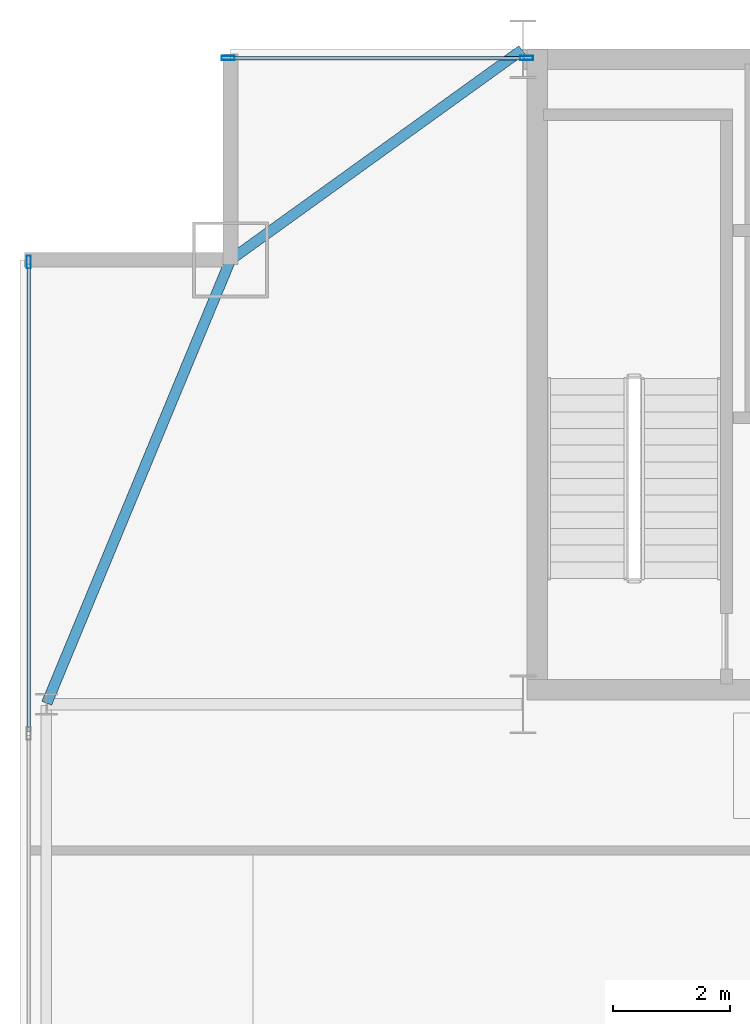
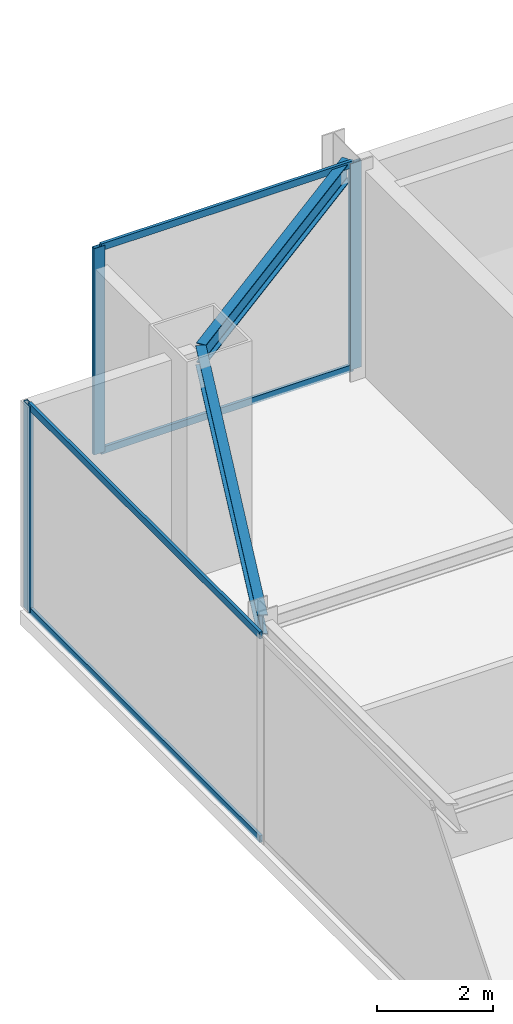
# One storey, part 18 of 25: 7 members, 2 beams, 2 elements without a shape of their own.
"""IFC4 building model written with IfcOpenShell, lengths in metres."""

import ifcopenshell
import ifcopenshell.guid

model = None  # the IFC model being written
_history = None  # IfcOwnerHistory: only IFC2X3 demands one
_inside = {}  # id of a spatial element -> (the spatial element, [elements in it])
_under = {}  # id of a project, library or spatial element -> (it, [spatial elements below it])
_declared = {}  # id of a project -> (the project, [libraries it declares])
_typed = {}  # id of a type object -> (the type object, [elements of that type])
_made_of = {}  # id of a material, layer set ... -> (it, [elements and type objects made of it])


def new_model(schema):
    """Start an empty IFC model of exactly this schema.

    Asked for "IFC4X3", IfcOpenShell would pick the latest addendum, in which some entities
    have other attributes; the version numbers below select the first issue.
    IFC2X3 requires an IfcOwnerHistory on every rooted entity: one is made here for all.
    """
    global model, _history
    if schema == "IFC4X3":
        model = ifcopenshell.file(schema_version=(4, 3, 0, 0))
    else:
        model = ifcopenshell.file(schema=schema)
    _inside.clear()
    _under.clear()
    _declared.clear()
    _typed.clear()
    _made_of.clear()
    _history = None
    if model.schema == "IFC2X3":
        org = make("IfcOrganization", Name="unknown")
        user = make(
            "IfcPersonAndOrganization",
            ThePerson=make("IfcPerson", FamilyName="unknown"),
            TheOrganization=org,
        )
        app = make(
            "IfcApplication",
            ApplicationDeveloper=org,
            Version="unknown",
            ApplicationFullName="unknown",
            ApplicationIdentifier="unknown",
        )
        _history = make(
            "IfcOwnerHistory",
            OwningUser=user,
            OwningApplication=app,
            ChangeAction="ADDED",
            CreationDate=0,
        )
    return model


def make(cls, **values):
    """One entity of the class cls with the attributes given. An attribute that is None is left unset."""
    return model.create_entity(
        cls, **{name: value for name, value in values.items() if value is not None}
    )


def rooted(cls, **values):
    """An entity with a GlobalId (a new one), such as an element, a storey or a relation."""
    return make(cls, GlobalId=ifcopenshell.guid.new(), OwnerHistory=_history, **values)


def si_unit(unit_type, name, prefix=None):
    """IfcSIUnit, for example si_unit("LENGTHUNIT", "METRE", prefix="MILLI")."""
    return make("IfcSIUnit", UnitType=unit_type, Prefix=prefix, Name=name)


def assignment(units):
    """IfcUnitAssignment: the units of a project."""
    return None if units is None else make("IfcUnitAssignment", Units=units)


def point(xyz):
    """IfcCartesianPoint."""
    return None if xyz is None else make("IfcCartesianPoint", Coordinates=xyz)


def direction(xyz):
    """IfcDirection."""
    return None if xyz is None else make("IfcDirection", DirectionRatios=xyz)


def frame(location, z_axis=None, x_axis=None):
    """IfcAxis2Placement3D, a coordinate frame: its origin and axes. An axis left out is left unset."""
    return make(
        "IfcAxis2Placement3D",
        Location=point(location),
        Axis=direction(z_axis),
        RefDirection=direction(x_axis),
    )


def frame_2d(location, x_axis=None):
    """IfcAxis2Placement2D, a coordinate frame in the plane: its origin and x axis."""
    return make(
        "IfcAxis2Placement2D", Location=point(location), RefDirection=direction(x_axis)
    )


def origin():
    """The frame at (0, 0, 0) with its axes left unset."""
    return frame((0.0, 0.0, 0.0))


def origin_2d():
    """The frame at (0, 0) in the plane with its x axis left unset."""
    return frame_2d((0.0, 0.0))


def place(relative_to, where):
    """IfcLocalPlacement: puts the frame where relative to a parent placement (None: the world)."""
    return make(
        "IfcLocalPlacement", PlacementRelTo=relative_to, RelativePlacement=where
    )


def context(
    kind, dimensions, precision=None, world=None, true_north=None, identifier=None
):
    """IfcGeometricRepresentationContext, for example the 3D "Model" context."""
    return make(
        "IfcGeometricRepresentationContext",
        ContextIdentifier=identifier,
        ContextType=kind,
        CoordinateSpaceDimension=dimensions,
        Precision=precision,
        WorldCoordinateSystem=world,
        TrueNorth=true_north,
    )


def subcontext(parent, identifier, kind, view, scale=None):
    """IfcGeometricRepresentationSubContext, for example "Body" below "Model"."""
    return make(
        "IfcGeometricRepresentationSubContext",
        ContextIdentifier=identifier,
        ContextType=kind,
        ParentContext=parent,
        TargetScale=scale,
        TargetView=view,
    )


def project(units=None, contexts=None):
    """IfcProject with its units and contexts."""
    return rooted(
        "IfcProject",
        Name="project",
        RepresentationContexts=contexts,
        UnitsInContext=assignment(units),
    )


def spatial(cls, under=None, at=None, **own):
    """A site, building, storey or space (cls), placed at a placement, below another one or the project."""
    s = rooted(cls, ObjectPlacement=at, **own)
    if under is not None:
        _under.setdefault(under.id(), (under, []))[1].append(s)
    return s


def profile(cls, at=None, kind="AREA", **sizes):
    """A parametric profile (cls). Its sizes go by their IFC names, for example OverallWidth=200.0."""
    return make(cls, ProfileType=kind, Position=at, **sizes)


def hollow_rectangle(**sizes):
    """IfcRectangleHollowProfileDef."""
    return profile("IfcRectangleHollowProfileDef", **sizes)


def i_section(**sizes):
    """IfcIShapeProfileDef."""
    return profile("IfcIShapeProfileDef", **sizes)


def extrude(swept, where, along, depth):
    """IfcExtrudedAreaSolid: the profile swept, set in the frame where, extruded along a direction by depth."""
    return make(
        "IfcExtrudedAreaSolid",
        SweptArea=swept,
        Position=where,
        ExtrudedDirection=direction(along),
        Depth=depth,
    )


def shape(context_of_items, identifier, shape_type, items):
    """IfcShapeRepresentation: the items that make up one representation, for example the "Body"."""
    return make(
        "IfcShapeRepresentation",
        ContextOfItems=context_of_items,
        RepresentationIdentifier=identifier,
        RepresentationType=shape_type,
        Items=items,
    )


def source(mapping_origin, context_of_items, identifier, shape_type, items):
    """IfcRepresentationMap: a shape defined once, which mapped items show again and again."""
    return make(
        "IfcRepresentationMap",
        MappingOrigin=mapping_origin,
        MappedRepresentation=shape(context_of_items, identifier, shape_type, items),
    )


def transform(
    local_origin,
    x_axis=None,
    y_axis=None,
    z_axis=None,
    scale=None,
    scale2=None,
    scale3=None,
    uniform=True,
):
    """IfcCartesianTransformationOperator3D, or its non-uniform kind. x_axis, y_axis, z_axis: its Axis1, 2, 3."""
    if uniform:
        return make(
            "IfcCartesianTransformationOperator3D",
            Axis1=direction(x_axis),
            Axis2=direction(y_axis),
            LocalOrigin=point(local_origin),
            Scale=scale,
            Axis3=direction(z_axis),
        )
    return make(
        "IfcCartesianTransformationOperator3DnonUniform",
        Axis1=direction(x_axis),
        Axis2=direction(y_axis),
        LocalOrigin=point(local_origin),
        Scale=scale,
        Axis3=direction(z_axis),
        Scale2=scale2,
        Scale3=scale3,
    )


def mapped(mapping_source, mapping_target):
    """IfcMappedItem: shows the shape of a source again, moved by a transform."""
    return make(
        "IfcMappedItem", MappingSource=mapping_source, MappingTarget=mapping_target
    )


def material(Name=None, Category=None):
    """IfcMaterial."""
    return make("IfcMaterial", Name=Name, Category=Category)


def layer(
    of_material, thickness, ventilated=None, Name=None, Category=None, Priority=None
):
    """IfcMaterialLayer: one layer of a wall or slab, of a material (None: an air gap)."""
    return make(
        "IfcMaterialLayer",
        Material=of_material,
        LayerThickness=thickness,
        IsVentilated=ventilated,
        Name=Name,
        Category=Category,
        Priority=Priority,
    )


def layer_set(layers, Name=None):
    """IfcMaterialLayerSet."""
    return make("IfcMaterialLayerSet", MaterialLayers=layers, LayerSetName=Name)


def material_profile(
    of_material, cross_section, Name=None, Category=None, Priority=None
):
    """IfcMaterialProfile: a cross section and its material."""
    return make(
        "IfcMaterialProfile",
        Name=Name,
        Material=of_material,
        Profile=cross_section,
        Priority=Priority,
        Category=Category,
    )


def profile_set(profiles, Name=None, composite=None):
    """IfcMaterialProfileSet."""
    return make(
        "IfcMaterialProfileSet",
        Name=Name,
        MaterialProfiles=profiles,
        CompositeProfile=composite,
    )


def made_of(thing, what):
    """Note that an element or type object is made of a material, layer set ...; save() writes the relation."""
    if what is not None:
        _made_of.setdefault(what.id(), (what, []))[1].append(thing)
    return thing


def type_object(cls, material=None, **own):
    """A type object (cls), such as IfcWallType, which elements share."""
    return made_of(rooted(cls, **own), material)


def type_shapes(of_type, sources):
    """Give a type object the sources (RepresentationMaps) that its elements show as mapped items."""
    of_type.RepresentationMaps = sources


def element(
    cls,
    number,
    at=None,
    inside=None,
    cuts=None,
    type_object=None,
    material=None,
    context=None,
    identifier="Body",
    shape_type=None,
    held_by="IfcProductDefinitionShape",
    body=None,
    shapes=None,
    **own,
):
    """One element of the class cls, such as IfcWall. Its Tag is "e" and its number.

    at: its placement. inside: the storey or other place that contains it. cuts: it is an
    opening in that element (IfcRelVoidsElement). A single representation is given by context,
    identifier, shape_type and body (its items); several are given by shapes. held_by: the class
    of the entity that holds the representations. save() writes the other relations.
    """
    e = rooted(cls, Tag="e%d" % number, ObjectPlacement=at, **own)
    if body is not None:
        shapes = [shape(context, identifier, shape_type, body)]
    if shapes is not None:
        e.Representation = make(held_by, Representations=shapes)
    if inside is not None:
        _inside.setdefault(inside.id(), (inside, []))[1].append(e)
    if cuts is not None:
        rooted(
            "IfcRelVoidsElement", RelatingBuildingElement=cuts, RelatedOpeningElement=e
        )
    if type_object is not None:
        _typed.setdefault(type_object.id(), (type_object, []))[1].append(e)
    return made_of(e, material)


def aggregate(whole, parts):
    """IfcRelAggregates: a whole, such as a stair, and the parts it consists of."""
    return rooted("IfcRelAggregates", RelatingObject=whole, RelatedObjects=parts)


def save(model, path):
    """Write the relations noted so far, then the file.

    IfcRelAggregates (storeys below a building ...), IfcRelContainedInSpatialStructure (elements
    in a storey), IfcRelDefinesByType, IfcRelAssociatesMaterial and IfcRelDeclares: one each for
    every whole, place, type object, material and project.
    """
    for whole, parts in _under.values():
        aggregate(whole, parts)
    for where, things in _inside.values():
        rooted(
            "IfcRelContainedInSpatialStructure",
            RelatedElements=things,
            RelatingStructure=where,
        )
    for kind, things in _typed.values():
        rooted("IfcRelDefinesByType", RelatedObjects=things, RelatingType=kind)
    for what, things in _made_of.values():
        rooted("IfcRelAssociatesMaterial", RelatedObjects=things, RelatingMaterial=what)
    for by, libraries in _declared.values():
        rooted("IfcRelDeclares", RelatingContext=by, RelatedDefinitions=libraries)
    model.write(path)


model = new_model("IFC4")

# Units and contexts
model_context = context("Model", 3, precision=1e-05, world=origin(), true_north=direction((0.0, 1.0)))
body_context = subcontext(model_context, "Body", "Model", "MODEL_VIEW")
ifc_project = project(units=[si_unit("LENGTHUNIT", "METRE"), si_unit("AREAUNIT", "SQUARE_METRE"), si_unit("VOLUMEUNIT", "CUBIC_METRE"), si_unit("PLANEANGLEUNIT", "RADIAN"), si_unit("MASSUNIT", "GRAM", prefix="KILO")], contexts=[model_context])

# Site, building, storey
site_placement = place(None, origin())
site = spatial("IfcSite", under=ifc_project, at=site_placement, CompositionType="ELEMENT")
building_placement = place(site_placement, origin())
building = spatial("IfcBuilding", under=site, at=building_placement, Name="Varnel Quay Broadcast Tower", CompositionType="ELEMENT")
storey_placement = place(building_placement, frame((0.0, 0.0, 191.39990234375)))
storey = spatial("IfcBuildingStorey", under=building, at=storey_placement, Name="L47", CompositionType="ELEMENT", Elevation=191.39990234375)

# Beams
ifc_material_1 = material(Name="Structural Steel CSA G40.21 350W", Category="steel")
ifc_material_profile_1 = material_profile(ifc_material_1, i_section(OverallWidth=0.180908203125, OverallDepth=0.4169921875, WebThickness=0.010986328125, FlangeThickness=0.018310546875, FilletRadius=0.011962890625, at=origin_2d()), Name="W410X85")
ifc_profile_set_1 = profile_set([ifc_material_profile_1], Name="Structural Steel CSA G40.21 350W")
beam_type = type_object("IfcBeamType", Name="Beam_W410X85", PredefinedType="SPANDREL", material=ifc_profile_set_1)
shared_shape_1 = source(origin(), body_context, "Body", "SweptSolid", [
    extrude(i_section(OverallWidth=0.180908203125, OverallDepth=0.4169921875, WebThickness=0.010986328125, FlangeThickness=0.018310546875, FilletRadius=0.011962890625, at=origin_2d()), origin(), (0.0, 0.0, 1.0), 8.186767578125),
])
beam_1_placement = place(storey_placement, frame((7.457763671875, 35.618408203125, 4.1416015625), z_axis=(0.382874132092, 0.923800519038, 0.0), x_axis=(-0.923800519038, 0.382874132092, 0.0)))
element("IfcBeam", 1, at=beam_1_placement, inside=storey, type_object=beam_type, Name="L47 West Spandrel TC-W3-MC-NW", PredefinedType="SPANDREL", context=body_context, shape_type="MappedRepresentation", body=[
    mapped(shared_shape_1, transform((0.0, 0.0, 0.0), x_axis=(1.0, 0.0, 0.0), y_axis=(0.0, 1.0, 0.0), z_axis=(0.0, 0.0, 1.0), scale=1.0)),
])
shared_shape_2 = source(origin(), body_context, "Body", "SweptSolid", [
    extrude(i_section(OverallWidth=0.180908203125, OverallDepth=0.4169921875, WebThickness=0.010986328125, FlangeThickness=0.018310546875, FilletRadius=0.011962890625, at=origin_2d()), origin(), (0.0, 0.0, 1.0), 6.12109375),
])
type_shapes(beam_type, [shared_shape_1, shared_shape_2])
beam_2_placement = place(storey_placement, frame((10.6162109375, 43.211669921875, 4.1416015625), z_axis=(0.811531315425, 0.584308928637, 0.0), x_axis=(-0.584308928637, 0.811531315425, 0.0)))
element("IfcBeam", 2, at=beam_2_placement, inside=storey, type_object=beam_type, Name="L47 NW Tie Spandrel", PredefinedType="SPANDREL", context=body_context, shape_type="MappedRepresentation", body=[
    mapped(shared_shape_2, transform((0.0, 0.0, 0.0), x_axis=(1.0, 0.0, 0.0), y_axis=(0.0, 1.0, 0.0), z_axis=(0.0, 0.0, 1.0), scale=1.0)),
])

# Curtain wall, member
ifc_material_2 = material(Name="Anodised Bronze Aluminium 6063-T6", Category="aluminium")
ifc_layer = layer(ifc_material_2, 0.18994140625, Name="Anodised Bronze Aluminium 6063-T6")
ifc_layer_set = layer_set([ifc_layer], Name="Anodised Bronze Aluminium 6063-T6")
curtain_wall_type = type_object("IfcCurtainWallType", Name="CW_SkyObsHighVis", PredefinedType="NOTDEFINED", material=ifc_layer_set)
curtain_wall_1_placement = place(storey_placement, origin())
curtain_wall_1 = element("IfcCurtainWall", 3, at=curtain_wall_1_placement, inside=storey, type_object=curtain_wall_type, Name="L47 West Unitised Curtain Wall", PredefinedType="NOTDEFINED")
ifc_material_profile_2 = material_profile(ifc_material_2, hollow_rectangle(XDim=0.074951171875, YDim=0.219970703125, WallThickness=0.00390625, at=origin_2d()), Name="ALU75X220X4")
ifc_profile_set_2 = profile_set([ifc_material_profile_2], Name="Anodised Bronze Aluminium 6063-T6")
member_type_1 = type_object("IfcMemberType", Name="Mull_CWS-05", PredefinedType="MULLION", material=ifc_profile_set_2)
shared_shape_3 = source(origin(), body_context, "Body", "SweptSolid", [
    extrude(hollow_rectangle(XDim=0.074951171875, YDim=0.219970703125, WallThickness=0.00390625, at=origin_2d()), origin(), (0.0, 0.0, 1.0), 4.35009765625),
])
type_shapes(member_type_1, [shared_shape_3])
member_1_placement = place(storey_placement, frame((7.14990234375, 43.16259765625, 0.0), z_axis=(0.0, 0.0, 1.0), x_axis=(-1.0, 0.0, 0.0)))
member_1 = element("IfcMember", 4, at=member_1_placement, type_object=member_type_1, Name="CWS-05 mullion 5", PredefinedType="MULLION", context=body_context, shape_type="MappedRepresentation", body=[
    mapped(shared_shape_3, transform((0.0, 0.0, 0.0), x_axis=(1.0, 0.0, 0.0), y_axis=(0.0, 1.0, 0.0), z_axis=(0.0, 0.0, 1.0), scale=1.0)),
])

# Curtain wall, members
curtain_wall_2_placement = place(storey_placement, origin())
curtain_wall_2 = element("IfcCurtainWall", 5, at=curtain_wall_2_placement, inside=storey, type_object=curtain_wall_type, Name="L47 NW Wing Curtain Wall", PredefinedType="NOTDEFINED")
member_2_placement = place(storey_placement, frame((10.5576171875, 46.64990234375, 0.0), z_axis=(0.0, 0.0, 1.0), x_axis=(0.0, 1.0, 0.0)))
member_2 = element("IfcMember", 6, at=member_2_placement, type_object=member_type_1, Name="CWS-05 mullion 1", PredefinedType="MULLION", context=body_context, shape_type="MappedRepresentation", body=[
    mapped(shared_shape_3, transform((0.0, 0.0, 0.0), x_axis=(1.0, 0.0, 0.0), y_axis=(0.0, 1.0, 0.0), z_axis=(0.0, 0.0, 1.0), scale=1.0)),
])
member_3_placement = place(storey_placement, frame((15.66259765625, 46.64990234375, 0.0), z_axis=(0.0, 0.0, 1.0), x_axis=(0.0, 1.0, 0.0)))
member_3 = element("IfcMember", 7, at=member_3_placement, type_object=member_type_1, Name="CWS-05 mullion 2", PredefinedType="MULLION", context=body_context, shape_type="MappedRepresentation", body=[
    mapped(shared_shape_3, transform((0.0, 0.0, 0.0), x_axis=(1.0, 0.0, 0.0), y_axis=(0.0, 1.0, 0.0), z_axis=(0.0, 0.0, 1.0), scale=1.0)),
])

# Member
ifc_material_profile_3 = material_profile(ifc_material_2, hollow_rectangle(XDim=0.06005859375, YDim=0.14501953125, WallThickness=0.00341796875, at=origin_2d()), Name="ALU60X145X3.5")
ifc_profile_set_3 = profile_set([ifc_material_profile_3], Name="Anodised Bronze Aluminium 6063-T6")
member_type_2 = type_object("IfcMemberType", Name="Tran_CWS-05", PredefinedType="USERDEFINED", material=ifc_profile_set_3)
shared_shape_4 = source(origin(), body_context, "Body", "SweptSolid", [
    extrude(hollow_rectangle(XDim=0.06005859375, YDim=0.14501953125, WallThickness=0.00341796875, at=origin_2d()), origin(), (0.0, 0.0, 1.0), 7.987548828125),
])
member_4_placement = place(storey_placement, frame((7.14990234375, 35.137451171875, 0.030029296875), z_axis=(0.0, 1.0, 0.0), x_axis=(-1.0, 0.0, 0.0)))
member_4 = element("IfcMember", 8, at=member_4_placement, type_object=member_type_2, Name="CWS-05 transom 4.1", ObjectType="TRANSOM", PredefinedType="USERDEFINED", context=body_context, shape_type="MappedRepresentation", body=[
    mapped(shared_shape_4, transform((0.0, 0.0, 0.0), x_axis=(1.0, 0.0, 0.0), y_axis=(0.0, 1.0, 0.0), z_axis=(0.0, 0.0, 1.0), scale=1.0)),
])

member_5_placement = place(storey_placement, frame((7.14990234375, 35.137451171875, 4.320068359375), z_axis=(0.0, 1.0, 0.0), x_axis=(-1.0, 0.0, 0.0)))
member_5 = element("IfcMember", 9, at=member_5_placement, type_object=member_type_2, Name="CWS-05 transom 4.2", ObjectType="TRANSOM", PredefinedType="USERDEFINED", context=body_context, shape_type="MappedRepresentation", body=[
    mapped(shared_shape_4, transform((0.0, 0.0, 0.0), x_axis=(1.0, 0.0, 0.0), y_axis=(0.0, 1.0, 0.0), z_axis=(0.0, 0.0, 1.0), scale=1.0)),
])

aggregate(curtain_wall_1, [member_1, member_4, member_5])

shared_shape_5 = source(origin(), body_context, "Body", "SweptSolid", [
    extrude(hollow_rectangle(XDim=0.06005859375, YDim=0.14501953125, WallThickness=0.00341796875, at=origin_2d()), origin(), (0.0, 0.0, 1.0), 5.030029296875),
])
type_shapes(member_type_2, [shared_shape_4, shared_shape_5])
member_6_placement = place(storey_placement, frame((10.594970703125, 46.64990234375, 0.030029296875), z_axis=(1.0, 0.0, 0.0), x_axis=(0.0, 1.0, 0.0)))
member_6 = element("IfcMember", 10, at=member_6_placement, type_object=member_type_2, Name="CWS-05 transom 1.1", ObjectType="TRANSOM", PredefinedType="USERDEFINED", context=body_context, shape_type="MappedRepresentation", body=[
    mapped(shared_shape_5, transform((0.0, 0.0, 0.0), x_axis=(1.0, 0.0, 0.0), y_axis=(0.0, 1.0, 0.0), z_axis=(0.0, 0.0, 1.0), scale=1.0)),
])

member_7_placement = place(storey_placement, frame((10.594970703125, 46.64990234375, 4.320068359375), z_axis=(1.0, 0.0, 0.0), x_axis=(0.0, 1.0, 0.0)))
member_7 = element("IfcMember", 11, at=member_7_placement, type_object=member_type_2, Name="CWS-05 transom 1.2", ObjectType="TRANSOM", PredefinedType="USERDEFINED", context=body_context, shape_type="MappedRepresentation", body=[
    mapped(shared_shape_5, transform((0.0, 0.0, 0.0), x_axis=(1.0, 0.0, 0.0), y_axis=(0.0, 1.0, 0.0), z_axis=(0.0, 0.0, 1.0), scale=1.0)),
])

aggregate(curtain_wall_2, [member_2, member_3, member_6, member_7])

save(model, "model.ifc")
